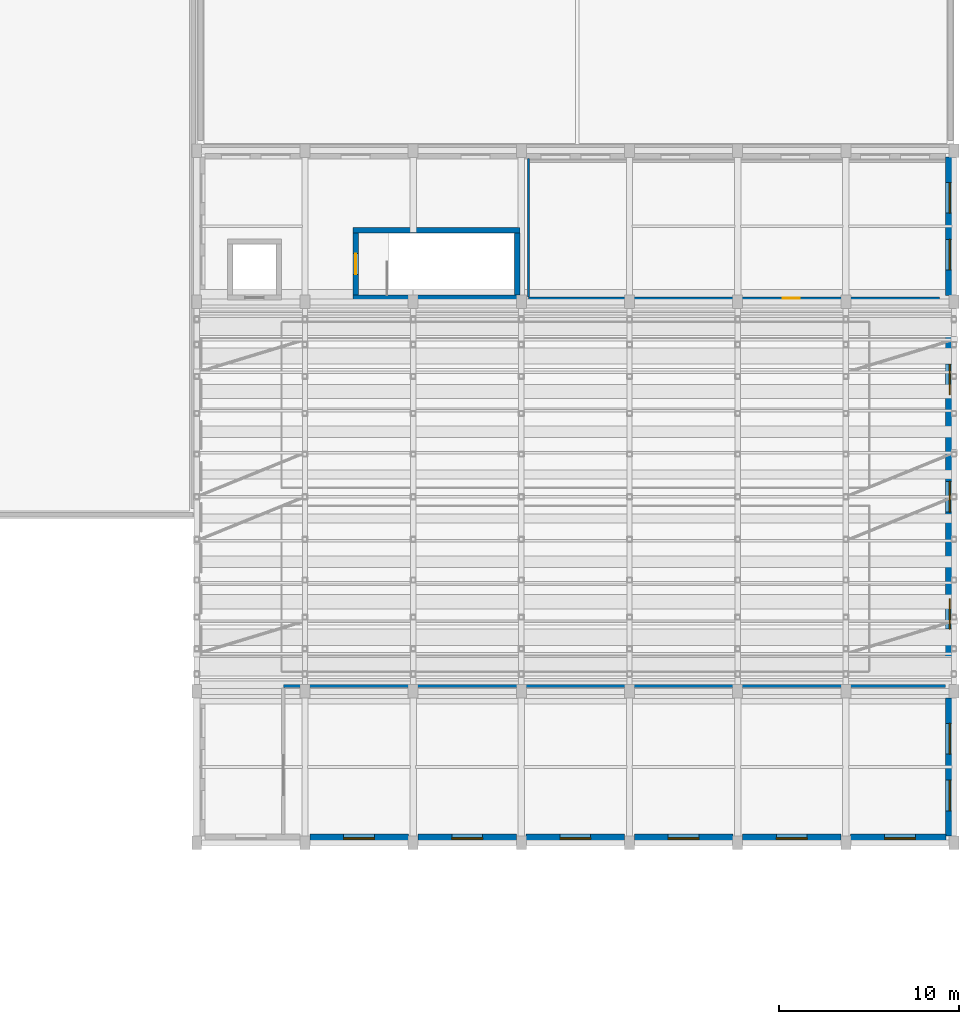
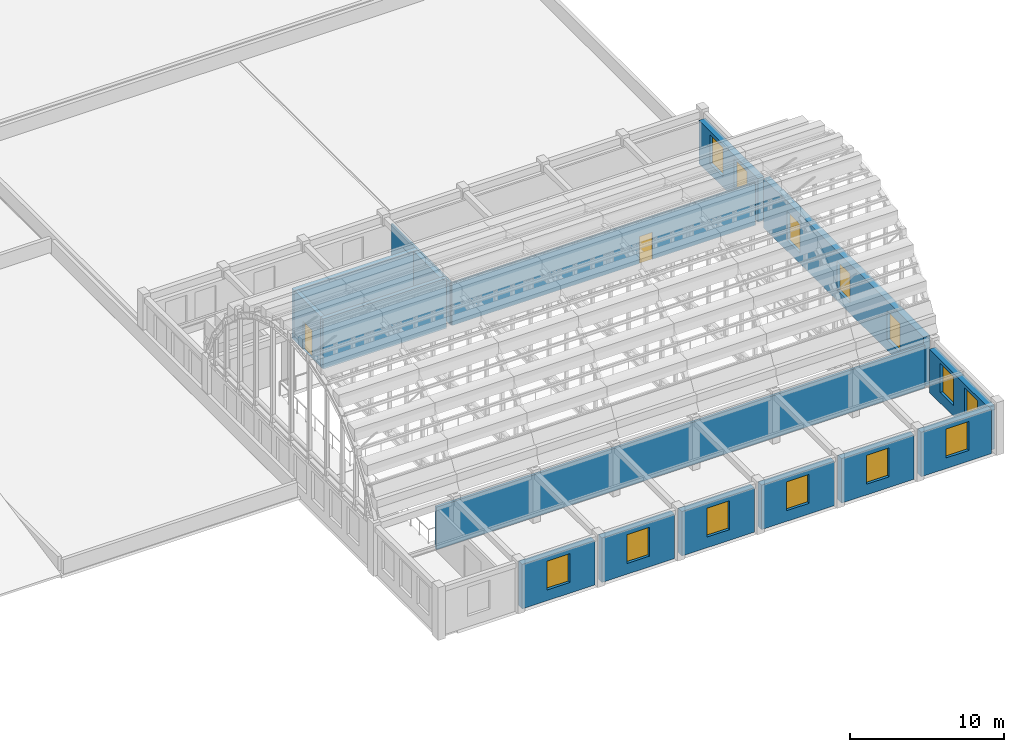
# One storey, part 26 of 46: 16 walls, 13 windows, 2 doors, 15 openings.
"""IFC4 building model written with IfcOpenShell, lengths in metres."""

from ifc_helpers import new_model, si_unit, direction, frame, frame_2d, origin, place, context, subcontext, project, spatial, rectangle, extrude, material, layer, layer_set, type_object, element, fill, save


model = new_model("IFC4")

# Units and contexts
model_context = context("Model", 3, precision=1e-05, world=origin(), true_north=direction((0.0, 1.0)))
body_context = subcontext(model_context, "Body", "Model", "MODEL_VIEW")
ifc_project = project(units=[si_unit("LENGTHUNIT", "METRE"), si_unit("AREAUNIT", "SQUARE_METRE"), si_unit("VOLUMEUNIT", "CUBIC_METRE"), si_unit("PLANEANGLEUNIT", "RADIAN"), si_unit("MASSUNIT", "GRAM", prefix="KILO")], contexts=[model_context])

# Site, building, storey
site_placement = place(None, origin())
site = spatial("IfcSite", under=ifc_project, at=site_placement, CompositionType="ELEMENT")
building_placement = place(site_placement, origin())
building = spatial("IfcBuilding", under=site, at=building_placement, Name="Tarnavel Promenade Courthouse", CompositionType="ELEMENT")
storey_placement = place(building_placement, frame((0.0, 0.0, 14.39990234375)))
storey = spatial("IfcBuildingStorey", under=building, at=storey_placement, Name="L04", CompositionType="ELEMENT", Elevation=14.39990234375)

# Walls
ifc_material_1 = material(Name="Concrete C40/50", Category="concrete")
ifc_layer_1 = layer(ifc_material_1, 0.320068359375)
ifc_layer_set_1 = layer_set([ifc_layer_1], Name="Concrete C40/50")
wall_type_1 = type_object("IfcWallType", Name="Concrete C40/50 WL-SHR-320 (320 mm)", PredefinedType="SHEAR", material=ifc_layer_set_1)
for number, where, z_axis, x_axis, name in (
    (1, (128.659912109375, 62.780029296875, 0.0), (0.0, 0.0, 1.0), (1.0, 0.0, 0.0), "L04 ST-08 Shear Core North Wall"),
    (2, (137.93994140625, 59.02001953125, 0.0), (0.0, 0.0, 1.0), (-1.0, 0.0, 0.0), "L04 ST-08 Shear Core South Wall"),
):
    element("IfcWall", number, at=place(storey_placement, frame(where, z_axis=z_axis, x_axis=x_axis)), inside=storey, type_object=wall_type_1, Name=name, PredefinedType="SHEAR", context=body_context, shape_type="SweptSolid", body=[
        extrude(rectangle(XDim=9.280029296875, YDim=0.320068359375, at=frame_2d((4.64013671875, 0.0))), origin(), (0.0, 0.0, 1.0), 3.960205078125),
    ])

# Wall, opening, door
wall_1_placement = place(storey_placement, frame((128.820068359375, 59.179931640625, 0.0), z_axis=(0.0, 0.0, 1.0), x_axis=(0.0, 1.0, 0.0)))
wall_1 = element("IfcWall", 3, at=wall_1_placement, inside=storey, type_object=wall_type_1, Name="L04 ST-08 Shear Core West Landing Wall", PredefinedType="SHEAR", context=body_context, shape_type="SweptSolid", body=[
    extrude(rectangle(XDim=3.440185546875, YDim=0.320068359375, at=frame_2d((1.72021484375, 0.0))), origin(), (0.0, 0.0, 1.0), 3.960205078125),
])
opening_1_placement = place(wall_1_placement, frame((1.14501953125, 0.0, 0.0)))
opening_1 = element("IfcOpeningElement", 4, at=opening_1_placement, cuts=wall_1, Name="Opening FD-01", PredefinedType="OPENING", context=body_context, shape_type="SweptSolid", body=[
    extrude(rectangle(XDim=1.14990234375, YDim=2.199951171875, at=frame_2d((0.574951171875, 1.10009765625))), frame((0.0, 0.169921875, 0.0), z_axis=(0.0, -1.0, 0.0), x_axis=(1.0, 0.0, 0.0)), (0.0, 0.0, 1.0), 0.340087890625),
])
ifc_material_2 = material(Name="Steel Fire-Rated Stair Core Door", Category="steel")
door_type_1 = type_object("IfcDoorType", Name="Steel Fire-Rated Stair Core Door (DR-ST-1150x2200)", OperationType="NOTDEFINED", PredefinedType="DOOR", material=ifc_material_2)
door_1_placement = place(opening_1_placement, origin())
door_1 = element("IfcDoor", 5, at=door_1_placement, inside=storey, type_object=door_type_1, Name="L04 ST-08 Protected Exit Stair Door", OperationType="SINGLE_SWING_RIGHT", OverallHeight=2.199951171875, OverallWidth=1.14990234375, PredefinedType="DOOR", context=body_context, shape_type="SweptSolid", body=[
    extrude(rectangle(XDim=1.14990234375, YDim=2.199951171875, at=frame_2d((0.574951171875, 1.10009765625))), frame((0.0, 0.02490234375, 0.0), z_axis=(0.0, -1.0, 0.0), x_axis=(1.0, 0.0, 0.0)), (0.0, 0.0, 1.0), 0.050048828125),
])
fill(opening_1, door_1)

# Walls
wall_2_placement = place(storey_placement, frame((137.780029296875, 62.6201171875, 0.0), z_axis=(0.0, 0.0, 1.0), x_axis=(0.0, -1.0, 0.0)))
element("IfcWall", 6, at=wall_2_placement, inside=storey, type_object=wall_type_1, Name="L04 ST-08 Shear Core East Wall", PredefinedType="SHEAR", context=body_context, shape_type="SweptSolid", body=[
    extrude(rectangle(XDim=3.440185546875, YDim=0.320068359375, at=frame_2d((1.72021484375, 0.0))), origin(), (0.0, 0.0, 1.0), 3.960205078125),
])
ifc_material_3 = material(Name="Double-Stud Acoustic Courtroom Partition Assembly", Category="gypsum")
ifc_layer_2 = layer(ifc_material_3, 0.18505859375)
ifc_layer_set_2 = layer_set([ifc_layer_2], Name="Double-Stud Acoustic Courtroom Partition Assembly")
wall_type_2 = type_object("IfcWallType", Name="Double-Stud Acoustic Courtroom Partition Assembly WL-CRT-185 (185 mm)", PredefinedType="PARTITIONING", material=ifc_layer_set_2)
wall_3_placement = place(storey_placement, frame((124.800048828125, 37.5, 0.0), z_axis=(0.0, 0.0, 1.0), x_axis=(1.0, 0.0, 0.0)))
element("IfcWall", 7, at=wall_3_placement, inside=storey, type_object=wall_type_2, Name="L04 Ceremonial Courtroom Upper Press Gallery Partition 0616", PredefinedType="PARTITIONING", context=body_context, shape_type="SweptSolid", body=[
    extrude(rectangle(XDim=36.725830078125, YDim=0.18505859375, at=frame_2d((18.36279296875, 0.0))), origin(), (0.0, 0.0, 1.0), 3.39013671875),
])

# Wall, openings, windows
ifc_material_4 = material(Name="Limestone Ashlar Faced Insulated Brick Masonry", Category="masonry")
ifc_layer_3 = layer(ifc_material_4, 0.47998046875)
ifc_layer_set_3 = layer_set([ifc_layer_3], Name="Limestone Ashlar Faced Insulated Brick Masonry")
wall_type_3 = type_object("IfcWallType", Name="Limestone Ashlar Faced Insulated Brick Masonry WL-EXT-480 (480 mm)", PredefinedType="STANDARD", material=ifc_layer_set_3)
wall_4_placement = place(storey_placement, frame((161.760009765625, 36.8330078125, 0.0), z_axis=(0.0, 0.0, 1.0), x_axis=(0.0, -1.0, 0.0)))
wall_4 = element("IfcWall", 8, at=wall_4_placement, inside=storey, type_object=wall_type_3, Name="L04 Ceremonial Pavilion East Stone Facade 0393", PredefinedType="STANDARD", context=body_context, shape_type="SweptSolid", body=[
    extrude(rectangle(XDim=7.666015625, YDim=0.47998046875, at=frame_2d((3.8330078125, 0.0))), origin(), (0.0, 0.0, 1.0), 3.440185546875),
])
opening_2_placement = place(wall_4_placement, frame((1.407958984375, 0.0, 0.85009765625)))
opening_2 = element("IfcOpeningElement", 9, at=opening_2_placement, cuts=wall_4, Name="Opening W-01", PredefinedType="OPENING", context=body_context, shape_type="SweptSolid", body=[
    extrude(rectangle(XDim=1.699951171875, YDim=2.300048828125, at=frame_2d((0.85009765625, 1.14990234375))), frame((0.0, 0.25, 0.0), z_axis=(0.0, -1.0, 0.0), x_axis=(1.0, 0.0, 0.0)), (0.0, 0.0, 1.0), 0.5),
])
opening_3_placement = place(wall_4_placement, frame((4.55810546875, 0.0, 0.85009765625)))
opening_3 = element("IfcOpeningElement", 10, at=opening_3_placement, cuts=wall_4, Name="Opening W-01", PredefinedType="OPENING", context=body_context, shape_type="SweptSolid", body=[
    extrude(rectangle(XDim=1.699951171875, YDim=2.300048828125, at=frame_2d((0.85009765625, 1.14990234375))), frame((0.0, 0.25, 0.0), z_axis=(0.0, -1.0, 0.0), x_axis=(1.0, 0.0, 0.0)), (0.0, 0.0, 1.0), 0.5),
])
ifc_material_5 = material(Name="Triple Low-E Glazed Bronze-Clad Window Assembly")
window_type = type_object("IfcWindowType", Name="Triple-Glazed Bronze-Clad Timber-Aluminium WIN-CRT-1700x2300", PartitioningType="SINGLE_PANEL", PredefinedType="WINDOW", material=ifc_material_5)
window_1_placement = place(opening_2_placement, origin())
window_1 = element("IfcWindow", 11, at=window_1_placement, inside=storey, type_object=window_type, Name="L04 Exterior Window 0477", OverallHeight=2.300048828125, OverallWidth=1.699951171875, PartitioningType="SINGLE_PANEL", PredefinedType="WINDOW", context=body_context, shape_type="SweptSolid", body=[
    extrude(rectangle(XDim=1.699951171875, YDim=2.300048828125, at=frame_2d((0.85009765625, 1.14990234375))), frame((0.0, 0.030029296875, 0.0), z_axis=(0.0, -1.0, 0.0), x_axis=(1.0, 0.0, 0.0)), (0.0, 0.0, 1.0), 0.06005859375),
])
fill(opening_2, window_1)
window_2_placement = place(opening_3_placement, origin())
window_2 = element("IfcWindow", 12, at=window_2_placement, inside=storey, type_object=window_type, Name="L04 Exterior Window 0478", OverallHeight=2.300048828125, OverallWidth=1.699951171875, PartitioningType="SINGLE_PANEL", PredefinedType="WINDOW", context=body_context, shape_type="SweptSolid", body=[
    extrude(rectangle(XDim=1.699951171875, YDim=2.300048828125, at=frame_2d((0.85009765625, 1.14990234375))), frame((0.0, 0.030029296875, 0.0), z_axis=(0.0, -1.0, 0.0), x_axis=(1.0, 0.0, 0.0)), (0.0, 0.0, 1.0), 0.06005859375),
])
fill(opening_3, window_2)

wall_5_placement = place(storey_placement, frame((161.760009765625, 58.43310546875, 0.0), z_axis=(0.0, 0.0, 1.0), x_axis=(0.0, -1.0, 0.0)))
wall_5 = element("IfcWall", 13, at=wall_5_placement, inside=storey, type_object=wall_type_3, Name="L04 Ceremonial Pavilion East Stone Facade 0394", PredefinedType="STANDARD", context=body_context, shape_type="SweptSolid", body=[
    extrude(rectangle(XDim=20.8662109375, YDim=0.47998046875, at=frame_2d((10.43310546875, 0.0))), origin(), (0.0, 0.0, 1.0), 3.940185546875),
])
opening_4_placement = place(wall_5_placement, frame((3.0830078125, 0.0, 0.85009765625)))
opening_4 = element("IfcOpeningElement", 14, at=opening_4_placement, cuts=wall_5, Name="Opening W-01", PredefinedType="OPENING", context=body_context, shape_type="SweptSolid", body=[
    extrude(rectangle(XDim=1.699951171875, YDim=2.300048828125, at=frame_2d((0.85009765625, 1.14990234375))), frame((0.0, 0.25, 0.0), z_axis=(0.0, -1.0, 0.0), x_axis=(1.0, 0.0, 0.0)), (0.0, 0.0, 1.0), 0.5),
])
opening_5_placement = place(wall_5_placement, frame((9.5830078125, 0.0, 0.85009765625)))
opening_5 = element("IfcOpeningElement", 15, at=opening_5_placement, cuts=wall_5, Name="Opening W-01", PredefinedType="OPENING", context=body_context, shape_type="SweptSolid", body=[
    extrude(rectangle(XDim=1.699951171875, YDim=2.300048828125, at=frame_2d((0.85009765625, 1.14990234375))), frame((0.0, 0.25, 0.0), z_axis=(0.0, -1.0, 0.0), x_axis=(1.0, 0.0, 0.0)), (0.0, 0.0, 1.0), 0.5),
])
opening_6_placement = place(wall_5_placement, frame((16.0830078125, 0.0, 0.85009765625)))
opening_6 = element("IfcOpeningElement", 16, at=opening_6_placement, cuts=wall_5, Name="Opening W-01", PredefinedType="OPENING", context=body_context, shape_type="SweptSolid", body=[
    extrude(rectangle(XDim=1.699951171875, YDim=2.300048828125, at=frame_2d((0.85009765625, 1.14990234375))), frame((0.0, 0.25, 0.0), z_axis=(0.0, -1.0, 0.0), x_axis=(1.0, 0.0, 0.0)), (0.0, 0.0, 1.0), 0.5),
])
window_3_placement = place(opening_4_placement, origin())
window_3 = element("IfcWindow", 17, at=window_3_placement, inside=storey, type_object=window_type, Name="L04 Exterior Window 0479", OverallHeight=2.300048828125, OverallWidth=1.699951171875, PartitioningType="SINGLE_PANEL", PredefinedType="WINDOW", context=body_context, shape_type="SweptSolid", body=[
    extrude(rectangle(XDim=1.699951171875, YDim=2.300048828125, at=frame_2d((0.85009765625, 1.14990234375))), frame((0.0, 0.030029296875, 0.0), z_axis=(0.0, -1.0, 0.0), x_axis=(1.0, 0.0, 0.0)), (0.0, 0.0, 1.0), 0.06005859375),
])
fill(opening_4, window_3)
window_4_placement = place(opening_5_placement, origin())
window_4 = element("IfcWindow", 18, at=window_4_placement, inside=storey, type_object=window_type, Name="L04 Exterior Window 0480", OverallHeight=2.300048828125, OverallWidth=1.699951171875, PartitioningType="SINGLE_PANEL", PredefinedType="WINDOW", context=body_context, shape_type="SweptSolid", body=[
    extrude(rectangle(XDim=1.699951171875, YDim=2.300048828125, at=frame_2d((0.85009765625, 1.14990234375))), frame((0.0, 0.030029296875, 0.0), z_axis=(0.0, -1.0, 0.0), x_axis=(1.0, 0.0, 0.0)), (0.0, 0.0, 1.0), 0.06005859375),
])
fill(opening_5, window_4)
window_5_placement = place(opening_6_placement, origin())
window_5 = element("IfcWindow", 19, at=window_5_placement, inside=storey, type_object=window_type, Name="L04 Exterior Window 0481", OverallHeight=2.300048828125, OverallWidth=1.699951171875, PartitioningType="SINGLE_PANEL", PredefinedType="WINDOW", context=body_context, shape_type="SweptSolid", body=[
    extrude(rectangle(XDim=1.699951171875, YDim=2.300048828125, at=frame_2d((0.85009765625, 1.14990234375))), frame((0.0, 0.030029296875, 0.0), z_axis=(0.0, -1.0, 0.0), x_axis=(1.0, 0.0, 0.0)), (0.0, 0.0, 1.0), 0.06005859375),
])
fill(opening_6, window_5)

wall_6_placement = place(storey_placement, frame((161.760009765625, 66.8330078125, 0.0), z_axis=(0.0, 0.0, 1.0), x_axis=(0.0, -1.0, 0.0)))
wall_6 = element("IfcWall", 20, at=wall_6_placement, inside=storey, type_object=wall_type_3, Name="L04 Ceremonial Pavilion East Stone Facade 0395", PredefinedType="STANDARD", context=body_context, shape_type="SweptSolid", body=[
    extrude(rectangle(XDim=7.666015625, YDim=0.47998046875, at=frame_2d((3.8330078125, 0.0))), origin(), (0.0, 0.0, 1.0), 3.440185546875),
])
opening_7_placement = place(wall_6_placement, frame((1.407958984375, 0.0, 0.85009765625)))
opening_7 = element("IfcOpeningElement", 21, at=opening_7_placement, cuts=wall_6, Name="Opening W-01", PredefinedType="OPENING", context=body_context, shape_type="SweptSolid", body=[
    extrude(rectangle(XDim=1.699951171875, YDim=2.300048828125, at=frame_2d((0.85009765625, 1.14990234375))), frame((0.0, 0.25, 0.0), z_axis=(0.0, -1.0, 0.0), x_axis=(1.0, 0.0, 0.0)), (0.0, 0.0, 1.0), 0.5),
])
opening_8_placement = place(wall_6_placement, frame((4.55810546875, 0.0, 0.85009765625)))
opening_8 = element("IfcOpeningElement", 22, at=opening_8_placement, cuts=wall_6, Name="Opening W-01", PredefinedType="OPENING", context=body_context, shape_type="SweptSolid", body=[
    extrude(rectangle(XDim=1.699951171875, YDim=2.300048828125, at=frame_2d((0.85009765625, 1.14990234375))), frame((0.0, 0.25, 0.0), z_axis=(0.0, -1.0, 0.0), x_axis=(1.0, 0.0, 0.0)), (0.0, 0.0, 1.0), 0.5),
])
window_6_placement = place(opening_7_placement, origin())
window_6 = element("IfcWindow", 23, at=window_6_placement, inside=storey, type_object=window_type, Name="L04 Exterior Window 0482", OverallHeight=2.300048828125, OverallWidth=1.699951171875, PartitioningType="SINGLE_PANEL", PredefinedType="WINDOW", context=body_context, shape_type="SweptSolid", body=[
    extrude(rectangle(XDim=1.699951171875, YDim=2.300048828125, at=frame_2d((0.85009765625, 1.14990234375))), frame((0.0, 0.030029296875, 0.0), z_axis=(0.0, -1.0, 0.0), x_axis=(1.0, 0.0, 0.0)), (0.0, 0.0, 1.0), 0.06005859375),
])
fill(opening_7, window_6)
window_7_placement = place(opening_8_placement, origin())
window_7 = element("IfcWindow", 24, at=window_7_placement, inside=storey, type_object=window_type, Name="L04 Exterior Window 0483", OverallHeight=2.300048828125, OverallWidth=1.699951171875, PartitioningType="SINGLE_PANEL", PredefinedType="WINDOW", context=body_context, shape_type="SweptSolid", body=[
    extrude(rectangle(XDim=1.699951171875, YDim=2.300048828125, at=frame_2d((0.85009765625, 1.14990234375))), frame((0.0, 0.030029296875, 0.0), z_axis=(0.0, -1.0, 0.0), x_axis=(1.0, 0.0, 0.0)), (0.0, 0.0, 1.0), 0.06005859375),
])
fill(opening_8, window_7)

# Wall, opening, window
wall_7_placement = place(storey_placement, frame((131.73291015625, 29.0400390625, 0.0), z_axis=(0.0, 0.0, 1.0), x_axis=(-1.0, 0.0, 0.0)))
wall_7 = element("IfcWall", 25, at=wall_7_placement, inside=storey, type_object=wall_type_3, Name="L04 Ceremonial Pavilion Upper South Facade 0397", PredefinedType="STANDARD", context=body_context, shape_type="SweptSolid", body=[
    extrude(rectangle(XDim=5.4658203125, YDim=0.47998046875, at=frame_2d((2.73291015625, 0.0))), origin(), (0.0, 0.0, 1.0), 3.5400390625),
])
opening_9_placement = place(wall_7_placement, frame((1.883056640625, 0.0, 0.85009765625)))
opening_9 = element("IfcOpeningElement", 26, at=opening_9_placement, cuts=wall_7, Name="Opening W-01", PredefinedType="OPENING", context=body_context, shape_type="SweptSolid", body=[
    extrude(rectangle(XDim=1.699951171875, YDim=2.300048828125, at=frame_2d((0.85009765625, 1.14990234375))), frame((0.0, 0.25, 0.0), z_axis=(0.0, -1.0, 0.0), x_axis=(1.0, 0.0, 0.0)), (0.0, 0.0, 1.0), 0.5),
])
window_8_placement = place(opening_9_placement, origin())
window_8 = element("IfcWindow", 27, at=window_8_placement, inside=storey, type_object=window_type, Name="L04 Exterior Window 0485", OverallHeight=2.300048828125, OverallWidth=1.699951171875, PartitioningType="SINGLE_PANEL", PredefinedType="WINDOW", context=body_context, shape_type="SweptSolid", body=[
    extrude(rectangle(XDim=1.699951171875, YDim=2.300048828125, at=frame_2d((0.85009765625, 1.14990234375))), frame((0.0, 0.030029296875, 0.0), z_axis=(0.0, -1.0, 0.0), x_axis=(1.0, 0.0, 0.0)), (0.0, 0.0, 1.0), 0.06005859375),
])
fill(opening_9, window_8)

wall_8_placement = place(storey_placement, frame((137.73291015625, 29.0400390625, 0.0), z_axis=(0.0, 0.0, 1.0), x_axis=(-1.0, 0.0, 0.0)))
wall_8 = element("IfcWall", 28, at=wall_8_placement, inside=storey, type_object=wall_type_3, Name="L04 Ceremonial Pavilion Upper South Facade 0398", PredefinedType="STANDARD", context=body_context, shape_type="SweptSolid", body=[
    extrude(rectangle(XDim=5.4658203125, YDim=0.47998046875, at=frame_2d((2.73291015625, 0.0))), origin(), (0.0, 0.0, 1.0), 3.5400390625),
])
opening_10_placement = place(wall_8_placement, frame((1.883056640625, 0.0, 0.85009765625)))
opening_10 = element("IfcOpeningElement", 29, at=opening_10_placement, cuts=wall_8, Name="Opening W-01", PredefinedType="OPENING", context=body_context, shape_type="SweptSolid", body=[
    extrude(rectangle(XDim=1.699951171875, YDim=2.300048828125, at=frame_2d((0.85009765625, 1.14990234375))), frame((0.0, 0.25, 0.0), z_axis=(0.0, -1.0, 0.0), x_axis=(1.0, 0.0, 0.0)), (0.0, 0.0, 1.0), 0.5),
])
window_9_placement = place(opening_10_placement, origin())
window_9 = element("IfcWindow", 30, at=window_9_placement, inside=storey, type_object=window_type, Name="L04 Exterior Window 0486", OverallHeight=2.300048828125, OverallWidth=1.699951171875, PartitioningType="SINGLE_PANEL", PredefinedType="WINDOW", context=body_context, shape_type="SweptSolid", body=[
    extrude(rectangle(XDim=1.699951171875, YDim=2.300048828125, at=frame_2d((0.85009765625, 1.14990234375))), frame((0.0, 0.030029296875, 0.0), z_axis=(0.0, -1.0, 0.0), x_axis=(1.0, 0.0, 0.0)), (0.0, 0.0, 1.0), 0.06005859375),
])
fill(opening_10, window_9)

wall_9_placement = place(storey_placement, frame((143.73291015625, 29.0400390625, 0.0), z_axis=(0.0, 0.0, 1.0), x_axis=(-1.0, 0.0, 0.0)))
wall_9 = element("IfcWall", 31, at=wall_9_placement, inside=storey, type_object=wall_type_3, Name="L04 Ceremonial Pavilion Upper South Facade 0399", PredefinedType="STANDARD", context=body_context, shape_type="SweptSolid", body=[
    extrude(rectangle(XDim=5.4658203125, YDim=0.47998046875, at=frame_2d((2.73291015625, 0.0))), origin(), (0.0, 0.0, 1.0), 3.5400390625),
])
opening_11_placement = place(wall_9_placement, frame((1.883056640625, 0.0, 0.85009765625)))
opening_11 = element("IfcOpeningElement", 32, at=opening_11_placement, cuts=wall_9, Name="Opening W-01", PredefinedType="OPENING", context=body_context, shape_type="SweptSolid", body=[
    extrude(rectangle(XDim=1.699951171875, YDim=2.300048828125, at=frame_2d((0.85009765625, 1.14990234375))), frame((0.0, 0.25, 0.0), z_axis=(0.0, -1.0, 0.0), x_axis=(1.0, 0.0, 0.0)), (0.0, 0.0, 1.0), 0.5),
])
window_10_placement = place(opening_11_placement, origin())
window_10 = element("IfcWindow", 33, at=window_10_placement, inside=storey, type_object=window_type, Name="L04 Exterior Window 0487", OverallHeight=2.300048828125, OverallWidth=1.699951171875, PartitioningType="SINGLE_PANEL", PredefinedType="WINDOW", context=body_context, shape_type="SweptSolid", body=[
    extrude(rectangle(XDim=1.699951171875, YDim=2.300048828125, at=frame_2d((0.85009765625, 1.14990234375))), frame((0.0, 0.030029296875, 0.0), z_axis=(0.0, -1.0, 0.0), x_axis=(1.0, 0.0, 0.0)), (0.0, 0.0, 1.0), 0.06005859375),
])
fill(opening_11, window_10)

wall_10_placement = place(storey_placement, frame((149.73291015625, 29.0400390625, 0.0), z_axis=(0.0, 0.0, 1.0), x_axis=(-1.0, 0.0, 0.0)))
wall_10 = element("IfcWall", 34, at=wall_10_placement, inside=storey, type_object=wall_type_3, Name="L04 Ceremonial Pavilion Upper South Facade 0400", PredefinedType="STANDARD", context=body_context, shape_type="SweptSolid", body=[
    extrude(rectangle(XDim=5.4658203125, YDim=0.47998046875, at=frame_2d((2.73291015625, 0.0))), origin(), (0.0, 0.0, 1.0), 3.5400390625),
])
opening_12_placement = place(wall_10_placement, frame((1.883056640625, 0.0, 0.85009765625)))
opening_12 = element("IfcOpeningElement", 35, at=opening_12_placement, cuts=wall_10, Name="Opening W-01", PredefinedType="OPENING", context=body_context, shape_type="SweptSolid", body=[
    extrude(rectangle(XDim=1.699951171875, YDim=2.300048828125, at=frame_2d((0.85009765625, 1.14990234375))), frame((0.0, 0.25, 0.0), z_axis=(0.0, -1.0, 0.0), x_axis=(1.0, 0.0, 0.0)), (0.0, 0.0, 1.0), 0.5),
])
window_11_placement = place(opening_12_placement, origin())
window_11 = element("IfcWindow", 36, at=window_11_placement, inside=storey, type_object=window_type, Name="L04 Exterior Window 0488", OverallHeight=2.300048828125, OverallWidth=1.699951171875, PartitioningType="SINGLE_PANEL", PredefinedType="WINDOW", context=body_context, shape_type="SweptSolid", body=[
    extrude(rectangle(XDim=1.699951171875, YDim=2.300048828125, at=frame_2d((0.85009765625, 1.14990234375))), frame((0.0, 0.030029296875, 0.0), z_axis=(0.0, -1.0, 0.0), x_axis=(1.0, 0.0, 0.0)), (0.0, 0.0, 1.0), 0.06005859375),
])
fill(opening_12, window_11)

wall_11_placement = place(storey_placement, frame((155.73291015625, 29.0400390625, 0.0), z_axis=(0.0, 0.0, 1.0), x_axis=(-1.0, 0.0, 0.0)))
wall_11 = element("IfcWall", 37, at=wall_11_placement, inside=storey, type_object=wall_type_3, Name="L04 Ceremonial Pavilion Upper South Facade 0401", PredefinedType="STANDARD", context=body_context, shape_type="SweptSolid", body=[
    extrude(rectangle(XDim=5.4658203125, YDim=0.47998046875, at=frame_2d((2.73291015625, 0.0))), origin(), (0.0, 0.0, 1.0), 3.5400390625),
])
opening_13_placement = place(wall_11_placement, frame((1.883056640625, 0.0, 0.85009765625)))
opening_13 = element("IfcOpeningElement", 38, at=opening_13_placement, cuts=wall_11, Name="Opening W-01", PredefinedType="OPENING", context=body_context, shape_type="SweptSolid", body=[
    extrude(rectangle(XDim=1.699951171875, YDim=2.300048828125, at=frame_2d((0.85009765625, 1.14990234375))), frame((0.0, 0.25, 0.0), z_axis=(0.0, -1.0, 0.0), x_axis=(1.0, 0.0, 0.0)), (0.0, 0.0, 1.0), 0.5),
])
window_12_placement = place(opening_13_placement, origin())
window_12 = element("IfcWindow", 39, at=window_12_placement, inside=storey, type_object=window_type, Name="L04 Exterior Window 0489", OverallHeight=2.300048828125, OverallWidth=1.699951171875, PartitioningType="SINGLE_PANEL", PredefinedType="WINDOW", context=body_context, shape_type="SweptSolid", body=[
    extrude(rectangle(XDim=1.699951171875, YDim=2.300048828125, at=frame_2d((0.85009765625, 1.14990234375))), frame((0.0, 0.030029296875, 0.0), z_axis=(0.0, -1.0, 0.0), x_axis=(1.0, 0.0, 0.0)), (0.0, 0.0, 1.0), 0.06005859375),
])
fill(opening_13, window_12)

wall_12_placement = place(storey_placement, frame((161.550048828125, 29.0400390625, 0.0), z_axis=(0.0, 0.0, 1.0), x_axis=(-1.0, 0.0, 0.0)))
wall_12 = element("IfcWall", 40, at=wall_12_placement, inside=storey, type_object=wall_type_3, Name="L04 Ceremonial Pavilion Upper South Facade 0402", PredefinedType="STANDARD", context=body_context, shape_type="SweptSolid", body=[
    extrude(rectangle(XDim=5.282958984375, YDim=0.47998046875, at=frame_2d((2.6416015625, 0.0))), origin(), (0.0, 0.0, 1.0), 3.5400390625),
])
opening_14_placement = place(wall_12_placement, frame((1.699951171875, 0.0, 0.85009765625)))
opening_14 = element("IfcOpeningElement", 41, at=opening_14_placement, cuts=wall_12, Name="Opening W-01", PredefinedType="OPENING", context=body_context, shape_type="SweptSolid", body=[
    extrude(rectangle(XDim=1.699951171875, YDim=2.300048828125, at=frame_2d((0.85009765625, 1.14990234375))), frame((0.0, 0.25, 0.0), z_axis=(0.0, -1.0, 0.0), x_axis=(1.0, 0.0, 0.0)), (0.0, 0.0, 1.0), 0.5),
])
window_13_placement = place(opening_14_placement, origin())
window_13 = element("IfcWindow", 42, at=window_13_placement, inside=storey, type_object=window_type, Name="L04 Exterior Window 0490", OverallHeight=2.300048828125, OverallWidth=1.699951171875, PartitioningType="SINGLE_PANEL", PredefinedType="WINDOW", context=body_context, shape_type="SweptSolid", body=[
    extrude(rectangle(XDim=1.699951171875, YDim=2.300048828125, at=frame_2d((0.85009765625, 1.14990234375))), frame((0.0, 0.030029296875, 0.0), z_axis=(0.0, -1.0, 0.0), x_axis=(1.0, 0.0, 0.0)), (0.0, 0.0, 1.0), 0.06005859375),
])
fill(opening_14, window_13)

# Wall, opening, door
ifc_material_6 = material(Name="Metal-Stud Acoustic Gypsum Partition", Category="gypsum")
ifc_layer_4 = layer(ifc_material_6, 0.135009765625)
ifc_layer_set_4 = layer_set([ifc_layer_4], Name="Metal-Stud Acoustic Gypsum Partition")
wall_type_4 = type_object("IfcWallType", Name="Metal-Stud Acoustic Gypsum Partition WL-OFF-135 (135 mm)", PredefinedType="PARTITIONING", material=ifc_layer_set_4)
wall_13_placement = place(storey_placement, frame((161.199951171875, 59.0, 0.0), z_axis=(0.0, 0.0, 1.0), x_axis=(-1.0, 0.0, 0.0)))
wall_13 = element("IfcWall", 43, at=wall_13_placement, inside=storey, type_object=wall_type_4, Name="L04 Simultaneous Interpretation and Broadcast Suite Partition 0619", PredefinedType="PARTITIONING", context=body_context, shape_type="SweptSolid", body=[
    extrude(rectangle(XDim=22.800048828125, YDim=0.135009765625, at=frame_2d((11.39990234375, 0.0))), origin(), (0.0, 0.0, 1.0), 3.39013671875),
])
opening_15_placement = place(wall_13_placement, frame((7.75244140625, 0.0, 0.0)))
opening_15 = element("IfcOpeningElement", 44, at=opening_15_placement, cuts=wall_13, Name="Opening ID-06", PredefinedType="OPENING", context=body_context, shape_type="SweptSolid", body=[
    extrude(rectangle(XDim=0.949951171875, YDim=2.14990234375, at=frame_2d((0.47509765625, 1.074951171875))), frame((0.0, 0.077392578125, 0.0), z_axis=(0.0, -1.0, 0.0), x_axis=(1.0, 0.0, 0.0)), (0.0, 0.0, 1.0), 0.155029296875),
])
ifc_material_7 = material(Name="Acoustic Timber Veneer Office Door", Category="wood")
door_type_2 = type_object("IfcDoorType", Name="Acoustic Timber Veneer Office Door (DR-OFF-0950x2150)", OperationType="NOTDEFINED", PredefinedType="DOOR", material=ifc_material_7)
door_2_placement = place(opening_15_placement, origin())
door_2 = element("IfcDoor", 45, at=door_2_placement, inside=storey, type_object=door_type_2, Name="L04 Simultaneous Interpretation and Broadcast Suite Door 0177", OperationType="SINGLE_SWING_RIGHT", OverallHeight=2.14990234375, OverallWidth=0.949951171875, PredefinedType="DOOR", context=body_context, shape_type="SweptSolid", body=[
    extrude(rectangle(XDim=0.949951171875, YDim=2.14990234375, at=frame_2d((0.47509765625, 1.074951171875))), frame((0.0, 0.02490234375, 0.0), z_axis=(0.0, -1.0, 0.0), x_axis=(1.0, 0.0, 0.0)), (0.0, 0.0, 1.0), 0.050048828125),
])
fill(opening_15, door_2)

# Wall
wall_14_placement = place(storey_placement, frame((138.39990234375, 59.077392578125, 0.0), z_axis=(0.0, 0.0, 1.0), x_axis=(0.0, 1.0, 0.0)))
element("IfcWall", 46, at=wall_14_placement, inside=storey, type_object=wall_type_4, Name="L04 Simultaneous Interpretation and Broadcast Suite Partition 0620", PredefinedType="PARTITIONING", context=body_context, shape_type="SweptSolid", body=[
    extrude(rectangle(XDim=7.668701171875, YDim=0.135009765625, at=frame_2d((3.83447265625, 0.0))), origin(), (0.0, 0.0, 1.0), 3.39013671875),
])

save(model, "model.ifc")
